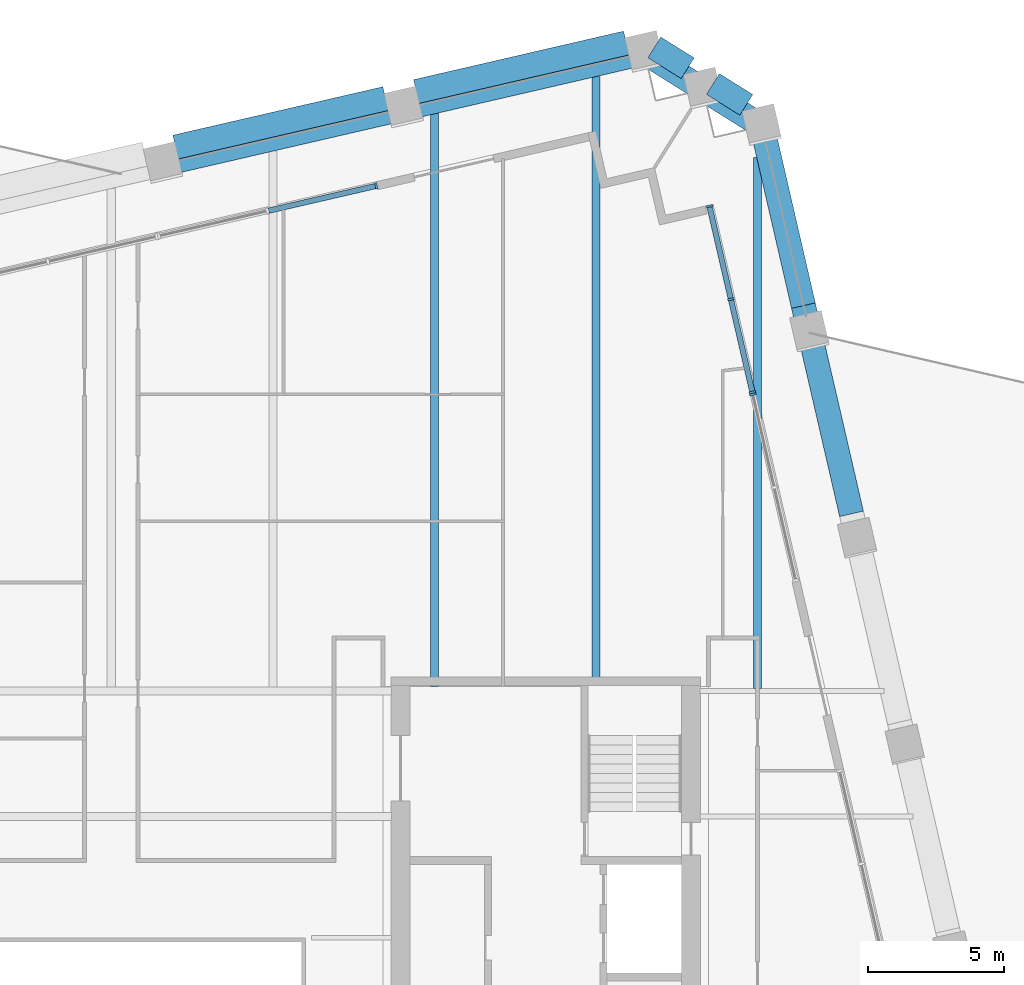
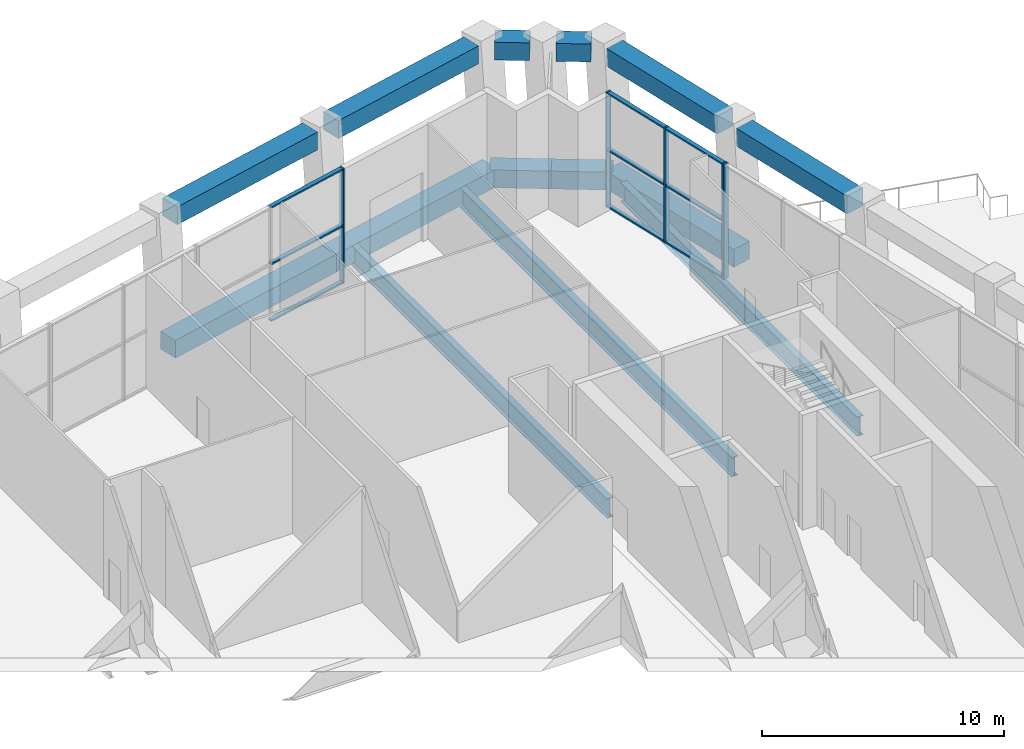
# One storey, part 9 of 24: 14 beams, 14 members, 3 elements without a shape of their own.
"""IFC4 building model written with IfcOpenShell, lengths in metres."""

from ifc_helpers import new_model, si_unit, direction, frame, origin, origin_2d, place, context, subcontext, project, spatial, rectangle, i_section, extrude, material, material_profile, profile_set, type_object, element, aggregate, save


model = new_model("IFC4")

# Units and contexts
model_context = context("Model", 3, precision=1e-05, world=origin(), true_north=direction((0.0, 1.0)))
body_context = subcontext(model_context, "Body", "Model", "MODEL_VIEW")
ifc_project = project(units=[si_unit("LENGTHUNIT", "METRE"), si_unit("AREAUNIT", "SQUARE_METRE"), si_unit("VOLUMEUNIT", "CUBIC_METRE"), si_unit("PLANEANGLEUNIT", "RADIAN"), si_unit("MASSUNIT", "GRAM", prefix="KILO")], contexts=[model_context])

# Site, building, storey
site_placement = place(None, origin())
site = spatial("IfcSite", under=ifc_project, at=site_placement, CompositionType="ELEMENT")
building_placement = place(site_placement, origin())
building = spatial("IfcBuilding", under=site, at=building_placement, Name="Ogive Exchange Tower", CompositionType="ELEMENT")
storey_placement = place(building_placement, frame((0.0, 0.0, 165.60009765625)))
storey = spatial("IfcBuildingStorey", under=building, at=storey_placement, Name="L36", CompositionType="ELEMENT", Elevation=165.60009765625)

# Beams
ifc_material_1 = material(Name="Steel ASTM A992 Gr50", Category="steel")
ifc_material_profile_1 = material_profile(ifc_material_1, i_section(OverallWidth=0.300048828125, OverallDepth=0.969970703125, WebThickness=0.01611328125, FlangeThickness=0.02099609375, at=origin_2d()), Name="W1000x222")
ifc_profile_set_1 = profile_set([ifc_material_profile_1], Name="Steel ASTM A992 Gr50")
beam_type_1 = type_object("IfcBeamType", Name="Floor beam W1000x222", PredefinedType="JOIST", material=ifc_profile_set_1)
beam_1_placement = place(storey_placement, frame((23.806396484375, 25.333984375, -0.93505859375), z_axis=(0.0, 1.0, 0.0), x_axis=(-1.0, 0.0, 0.0)))
element("IfcBeam", 1, at=beam_1_placement, inside=storey, type_object=beam_type_1, Name="Floor beam", PredefinedType="JOIST", context=body_context, shape_type="SweptSolid", body=[
    extrude(i_section(OverallWidth=0.300048828125, OverallDepth=0.969970703125, WebThickness=0.01611328125, FlangeThickness=0.02099609375, at=origin_2d()), origin(), (0.0, 0.0, 1.0), 19.5625),
])
ifc_material_profile_2 = material_profile(ifc_material_1, i_section(OverallWidth=0.300048828125, OverallDepth=0.97998046875, WebThickness=0.0166015625, FlangeThickness=0.026123046875, at=origin_2d()), Name="W1000x249")
ifc_profile_set_2 = profile_set([ifc_material_profile_2], Name="Steel ASTM A992 Gr50")
beam_type_2 = type_object("IfcBeamType", Name="Floor beam W1000x249", PredefinedType="JOIST", material=ifc_profile_set_2)
beam_2_placement = place(storey_placement, frame((11.9033203125, 25.39990234375, -0.940185546875), z_axis=(0.0, 1.0, 0.0), x_axis=(-1.0, 0.0, 0.0)))
element("IfcBeam", 2, at=beam_2_placement, inside=storey, type_object=beam_type_2, Name="Floor beam", PredefinedType="JOIST", context=body_context, shape_type="SweptSolid", body=[
    extrude(i_section(OverallWidth=0.300048828125, OverallDepth=0.97998046875, WebThickness=0.0166015625, FlangeThickness=0.026123046875, at=origin_2d()), origin(), (0.0, 0.0, 1.0), 21.2490234375),
])
beam_3_placement = place(storey_placement, frame((17.854736328125, 25.39990234375, -0.940185546875), z_axis=(0.0, 1.0, 0.0), x_axis=(-1.0, 0.0, 0.0)))
element("IfcBeam", 3, at=beam_3_placement, inside=storey, type_object=beam_type_2, Name="Floor beam", PredefinedType="JOIST", context=body_context, shape_type="SweptSolid", body=[
    extrude(i_section(OverallWidth=0.300048828125, OverallDepth=0.97998046875, WebThickness=0.0166015625, FlangeThickness=0.026123046875, at=origin_2d()), origin(), (0.0, 0.0, 1.0), 22.47314453125),
])
ifc_material_2 = material(Name="Precast concrete C70/85 (limestone faced)", Category="masonry")
ifc_material_profile_3 = material_profile(ifc_material_2, rectangle(XDim=0.89990234375, YDim=0.89990234375, at=origin_2d()), Name="900 x 900")
ifc_profile_set_3 = profile_set([ifc_material_profile_3], Name="Precast concrete C70/85 (limestone faced)")
beam_type_3 = type_object("IfcBeamType", Name="Precast spandrel 900 x 900 C70/85", PredefinedType="SPANDREL", material=ifc_profile_set_3)
beam_4_placement = place(storey_placement, frame((27.2646484375, 31.76708984375, 5.2998046875), z_axis=(-0.224968420637, 0.974366055298, 0.0), x_axis=(-0.974366055298, -0.224968420637, 0.0)))
element("IfcBeam", 4, at=beam_4_placement, inside=storey, type_object=beam_type_3, Name="Spandrel 14", PredefinedType="SPANDREL", context=body_context, shape_type="SweptSolid", body=[
    extrude(rectangle(XDim=0.89990234375, YDim=0.89990234375, at=origin_2d()), origin(), (0.0, 0.0, 1.0), 6.712158203125),
])
beam_5_placement = place(storey_placement, frame((25.493896484375, 39.4375, 5.2998046875), z_axis=(-0.224976393981, 0.974364214322, 0.0), x_axis=(-0.974364214322, -0.224976393981, 0.0)))
element("IfcBeam", 5, at=beam_5_placement, inside=storey, type_object=beam_type_3, Name="Spandrel 15", PredefinedType="SPANDREL", context=body_context, shape_type="SweptSolid", body=[
    extrude(rectangle(XDim=0.89990234375, YDim=0.89990234375, at=origin_2d()), origin(), (0.0, 0.0, 1.0), 6.7119140625),
])
for number, where, z_axis, x_axis, name in (
    (6, (23.38818359375, 46.833251953125, 5.2998046875), (-0.848026711821, 0.529953484787, 0.0), (-0.529953484787, -0.848026711821, 0.0), "Spandrel 16"),
    (7, (21.2294921875, 48.18212890625, 5.2998046875), (-0.848026711821, 0.529953484787, 0.0), (-0.529953484787, -0.848026711821, 0.0), "Spandrel 17"),
):
    element("IfcBeam", number, at=place(storey_placement, frame(where, z_axis=z_axis, x_axis=x_axis)), inside=storey, type_object=beam_type_3, Name=name, PredefinedType="SPANDREL", context=body_context, shape_type="SweptSolid", body=[
        extrude(rectangle(XDim=0.89990234375, YDim=0.89990234375, at=origin_2d()), origin(), (0.0, 0.0, 1.0), 1.448486328125),
    ])
beam_6_placement = place(storey_placement, frame((18.970703125, 49.110107421875, 5.2998046875), z_axis=(-0.974368388194, -0.224958316335, 0.0), x_axis=(0.224958316335, -0.974368388194, 0.0)))
element("IfcBeam", 8, at=beam_6_placement, inside=storey, type_object=beam_type_3, Name="Spandrel 18", PredefinedType="SPANDREL", context=body_context, shape_type="SweptSolid", body=[
    extrude(rectangle(XDim=0.89990234375, YDim=0.89990234375, at=origin_2d()), origin(), (0.0, 0.0, 1.0), 7.93994140625),
])
beam_7_placement = place(storey_placement, frame((10.10400390625, 47.06298828125, 5.2998046875), z_axis=(-0.974369944206, -0.224951576629, 0.0), x_axis=(0.224951576629, -0.974369944206, 0.0)))
element("IfcBeam", 9, at=beam_7_placement, inside=storey, type_object=beam_type_3, Name="Spandrel 19", PredefinedType="SPANDREL", context=body_context, shape_type="SweptSolid", body=[
    extrude(rectangle(XDim=0.89990234375, YDim=0.89990234375, at=origin_2d()), origin(), (0.0, 0.0, 1.0), 7.940185546875),
])
ifc_material_profile_4 = material_profile(ifc_material_2, rectangle(XDim=0.89990234375, YDim=0.89990234375, at=origin_2d()), Name="900 x 900")
ifc_profile_set_4 = profile_set([ifc_material_profile_4], Name="Precast concrete C70/85 (limestone faced)")
beam_type_4 = type_object("IfcBeamType", Name="Precast transfer girder 900 x 900 C70/85", PredefinedType="BEAM", material=ifc_profile_set_4)
beam_8_placement = place(storey_placement, frame((25.721435546875, 38.451171875, -0.900146484375), z_axis=(-0.22495322987, 0.974369562523, 0.0), x_axis=(-0.974369562523, -0.22495322987, 0.0)))
element("IfcBeam", 10, at=beam_8_placement, inside=storey, type_object=beam_type_4, Name="Transfer girder 15", PredefinedType="BEAM", context=body_context, shape_type="SweptSolid", body=[
    extrude(rectangle(XDim=0.89990234375, YDim=0.89990234375, at=origin_2d()), origin(), (0.0, 0.0, 1.0), 7.800048828125),
])
beam_9_placement = place(storey_placement, frame((23.966796875, 46.05126953125, -0.900146484375), z_axis=(-0.848052182659, 0.529912724405, 0.0), x_axis=(-0.529912724405, -0.848052182659, 0.0)))
element("IfcBeam", 11, at=beam_9_placement, inside=storey, type_object=beam_type_4, Name="Transfer girder 16", PredefinedType="BEAM", context=body_context, shape_type="SweptSolid", body=[
    extrude(rectangle(XDim=0.89990234375, YDim=0.89990234375, at=origin_2d()), origin(), (0.0, 0.0, 1.0), 2.54541015625),
])
beam_10_placement = place(storey_placement, frame((21.80810546875, 47.400146484375, -0.900146484375), z_axis=(-0.848009079889, 0.529981698198, 0.0), x_axis=(-0.529981698198, -0.848009079889, 0.0)))
element("IfcBeam", 12, at=beam_10_placement, inside=storey, type_object=beam_type_4, Name="Transfer girder 17", PredefinedType="BEAM", context=body_context, shape_type="SweptSolid", body=[
    extrude(rectangle(XDim=0.89990234375, YDim=0.89990234375, at=origin_2d()), origin(), (0.0, 0.0, 1.0), 2.545654296875),
])
beam_11_placement = place(storey_placement, frame((19.6494140625, 48.749267578125, -0.900146484375), z_axis=(-0.97436948753, -0.224953554694, 0.0), x_axis=(0.224953554694, -0.97436948753, 0.0)))
element("IfcBeam", 13, at=beam_11_placement, inside=storey, type_object=beam_type_4, Name="Transfer girder 18", PredefinedType="BEAM", context=body_context, shape_type="SweptSolid", body=[
    extrude(rectangle(XDim=0.89990234375, YDim=0.89990234375, at=origin_2d()), origin(), (0.0, 0.0, 1.0), 9.10009765625),
])
beam_12_placement = place(storey_placement, frame((10.782470703125, 46.7021484375, -0.900146484375), z_axis=(-0.974368129866, -0.224959435237, 0.0), x_axis=(0.224959435237, -0.974368129866, 0.0)))
element("IfcBeam", 14, at=beam_12_placement, inside=storey, type_object=beam_type_4, Name="Transfer girder 19", PredefinedType="BEAM", context=body_context, shape_type="SweptSolid", body=[
    extrude(rectangle(XDim=0.89990234375, YDim=0.89990234375, at=origin_2d()), origin(), (0.0, 0.0, 1.0), 9.099853515625),
])

# Curtain wall, member
ifc_material_3 = material(Name="Anodised aluminium and clear glass", Category="aluminium")
curtain_wall_type = type_object("IfcCurtainWallType", Name="Winter garden glazing", PredefinedType="NOTDEFINED", material=ifc_material_3)
curtain_wall_1_placement = place(storey_placement, origin())
curtain_wall_1 = element("IfcCurtainWall", 15, at=curtain_wall_1_placement, inside=storey, type_object=curtain_wall_type, Name="Winter garden glazing run G12", PredefinedType="NOTDEFINED")
ifc_material_4 = material(Name="Anodised aluminium", Category="aluminium")
ifc_material_profile_5 = material_profile(ifc_material_4, rectangle(XDim=0.239990234375, YDim=0.080078125, at=origin_2d()), Name="AL 80x240")
ifc_profile_set_5 = profile_set([ifc_material_profile_5], Name="Anodised aluminium")
member_type_1 = type_object("IfcMemberType", Name="Winter garden glazing mullion 80 x 240", PredefinedType="MULLION", material=ifc_profile_set_5)
member_1_placement = place(storey_placement, frame((23.631591796875, 36.168212890625, 0.0), z_axis=(0.0, 0.0, 1.0), x_axis=(-0.974371765874, -0.224943685993, 0.0)))
member_1 = element("IfcMember", 16, at=member_1_placement, type_object=member_type_1, Name="G12 mullion 3", PredefinedType="MULLION", context=body_context, shape_type="SweptSolid", body=[
    extrude(rectangle(XDim=0.239990234375, YDim=0.080078125, at=origin_2d()), origin(), (0.0, 0.0, 1.0), 5.7998046875),
])
aggregate(curtain_wall_1, [member_1])

# Curtain wall, members
curtain_wall_2_placement = place(storey_placement, origin())
curtain_wall_2 = element("IfcCurtainWall", 17, at=curtain_wall_2_placement, inside=storey, type_object=curtain_wall_type, Name="Winter garden glazing run G13", PredefinedType="NOTDEFINED")
member_2_placement = place(storey_placement, frame((23.613525390625, 36.24609375, 0.0), z_axis=(0.0, 0.0, 1.0), x_axis=(-0.974369396254, -0.224953950051, 0.0)))
member_2 = element("IfcMember", 18, at=member_2_placement, type_object=member_type_1, Name="G13 mullion 1", PredefinedType="MULLION", context=body_context, shape_type="SweptSolid", body=[
    extrude(rectangle(XDim=0.239990234375, YDim=0.080078125, at=origin_2d()), origin(), (0.0, 0.0, 1.0), 5.7998046875),
])
member_3_placement = place(storey_placement, frame((22.822265625, 39.673095703125, 0.0), z_axis=(0.0, 0.0, 1.0), x_axis=(-0.974369396254, -0.224953950051, 0.0)))
member_3 = element("IfcMember", 19, at=member_3_placement, type_object=member_type_1, Name="G13 mullion 2", PredefinedType="MULLION", context=body_context, shape_type="SweptSolid", body=[
    extrude(rectangle(XDim=0.239990234375, YDim=0.080078125, at=origin_2d()), origin(), (0.0, 0.0, 1.0), 5.7998046875),
])
member_4_placement = place(storey_placement, frame((22.031005859375, 43.100341796875, 0.0), z_axis=(0.0, 0.0, 1.0), x_axis=(-0.974369396254, -0.224953950051, 0.0)))
member_4 = element("IfcMember", 20, at=member_4_placement, type_object=member_type_1, Name="G13 mullion 3", PredefinedType="MULLION", context=body_context, shape_type="SweptSolid", body=[
    extrude(rectangle(XDim=0.239990234375, YDim=0.080078125, at=origin_2d()), origin(), (0.0, 0.0, 1.0), 5.7998046875),
])

# Curtain wall, member
curtain_wall_3_placement = place(storey_placement, origin())
curtain_wall_3 = element("IfcCurtainWall", 21, at=curtain_wall_3_placement, inside=storey, type_object=curtain_wall_type, Name="Winter garden glazing run G15", PredefinedType="NOTDEFINED")
member_5_placement = place(storey_placement, frame((9.75830078125, 43.8486328125, 0.0), z_axis=(0.0, 0.0, 1.0), x_axis=(0.224951017509, -0.974370073289, 0.0)))
member_5 = element("IfcMember", 22, at=member_5_placement, type_object=member_type_1, Name="G15 mullion 1", PredefinedType="MULLION", context=body_context, shape_type="SweptSolid", body=[
    extrude(rectangle(XDim=0.239990234375, YDim=0.080078125, at=origin_2d()), origin(), (0.0, 0.0, 1.0), 5.7998046875),
])

# Member
ifc_material_profile_6 = material_profile(ifc_material_4, rectangle(XDim=0.199951171875, YDim=0.080078125, at=origin_2d()), Name="AL 80x200")
ifc_profile_set_6 = profile_set([ifc_material_profile_6], Name="Anodised aluminium")
member_type_2 = type_object("IfcMemberType", Name="Winter garden glazing transom 80 x 200", PredefinedType="USERDEFINED", material=ifc_profile_set_6)
member_6_placement = place(storey_placement, frame((23.6044921875, 36.28515625, 0.039794921875), z_axis=(-0.224947693018, 0.974370840802, 0.0), x_axis=(-0.974370840802, -0.224947693018, 0.0)))
member_6 = element("IfcMember", 23, at=member_6_placement, type_object=member_type_2, Name="G13 transom 1.1", ObjectType="TRANSOM", PredefinedType="USERDEFINED", context=body_context, shape_type="SweptSolid", body=[
    extrude(rectangle(XDim=0.199951171875, YDim=0.080078125, at=origin_2d()), origin(), (0.0, 0.0, 1.0), 3.437255859375),
])

member_7_placement = place(storey_placement, frame((23.6044921875, 36.28515625, 2.89990234375), z_axis=(-0.224947693018, 0.974370840802, 0.0), x_axis=(-0.974370840802, -0.224947693018, 0.0)))
member_7 = element("IfcMember", 24, at=member_7_placement, type_object=member_type_2, Name="G13 transom 1.2", ObjectType="TRANSOM", PredefinedType="USERDEFINED", context=body_context, shape_type="SweptSolid", body=[
    extrude(rectangle(XDim=0.199951171875, YDim=0.080078125, at=origin_2d()), origin(), (0.0, 0.0, 1.0), 3.437255859375),
])

member_8_placement = place(storey_placement, frame((23.6044921875, 36.28515625, 5.760009765625), z_axis=(-0.224947693018, 0.974370840802, 0.0), x_axis=(-0.974370840802, -0.224947693018, 0.0)))
member_8 = element("IfcMember", 25, at=member_8_placement, type_object=member_type_2, Name="G13 transom 1.3", ObjectType="TRANSOM", PredefinedType="USERDEFINED", context=body_context, shape_type="SweptSolid", body=[
    extrude(rectangle(XDim=0.199951171875, YDim=0.080078125, at=origin_2d()), origin(), (0.0, 0.0, 1.0), 3.437255859375),
])

member_9_placement = place(storey_placement, frame((22.813232421875, 39.712158203125, 0.039794921875), z_axis=(-0.224947693018, 0.974370840802, 0.0), x_axis=(-0.974370840802, -0.224947693018, 0.0)))
member_9 = element("IfcMember", 26, at=member_9_placement, type_object=member_type_2, Name="G13 transom 2.1", ObjectType="TRANSOM", PredefinedType="USERDEFINED", context=body_context, shape_type="SweptSolid", body=[
    extrude(rectangle(XDim=0.199951171875, YDim=0.080078125, at=origin_2d()), origin(), (0.0, 0.0, 1.0), 3.437255859375),
])

member_10_placement = place(storey_placement, frame((22.813232421875, 39.712158203125, 2.89990234375), z_axis=(-0.224947693018, 0.974370840802, 0.0), x_axis=(-0.974370840802, -0.224947693018, 0.0)))
member_10 = element("IfcMember", 27, at=member_10_placement, type_object=member_type_2, Name="G13 transom 2.2", ObjectType="TRANSOM", PredefinedType="USERDEFINED", context=body_context, shape_type="SweptSolid", body=[
    extrude(rectangle(XDim=0.199951171875, YDim=0.080078125, at=origin_2d()), origin(), (0.0, 0.0, 1.0), 3.437255859375),
])

member_11_placement = place(storey_placement, frame((22.813232421875, 39.712158203125, 5.760009765625), z_axis=(-0.224947693018, 0.974370840802, 0.0), x_axis=(-0.974370840802, -0.224947693018, 0.0)))
member_11 = element("IfcMember", 28, at=member_11_placement, type_object=member_type_2, Name="G13 transom 2.3", ObjectType="TRANSOM", PredefinedType="USERDEFINED", context=body_context, shape_type="SweptSolid", body=[
    extrude(rectangle(XDim=0.199951171875, YDim=0.080078125, at=origin_2d()), origin(), (0.0, 0.0, 1.0), 3.437255859375),
])

aggregate(curtain_wall_2, [member_2, member_3, member_4, member_6, member_7, member_8, member_9, member_10, member_11])

member_12_placement = place(storey_placement, frame((9.71923828125, 43.839599609375, 0.039794921875), z_axis=(-0.97437383551, -0.224934720918, 0.0), x_axis=(0.224934720918, -0.97437383551, 0.0)))
member_12 = element("IfcMember", 29, at=member_12_placement, type_object=member_type_2, Name="G15 transom 1.1", ObjectType="TRANSOM", PredefinedType="USERDEFINED", context=body_context, shape_type="SweptSolid", body=[
    extrude(rectangle(XDim=0.199951171875, YDim=0.080078125, at=origin_2d()), origin(), (0.0, 0.0, 1.0), 4.030029296875),
])

member_13_placement = place(storey_placement, frame((9.71923828125, 43.839599609375, 2.89990234375), z_axis=(-0.97437383551, -0.224934720918, 0.0), x_axis=(0.224934720918, -0.97437383551, 0.0)))
member_13 = element("IfcMember", 30, at=member_13_placement, type_object=member_type_2, Name="G15 transom 1.2", ObjectType="TRANSOM", PredefinedType="USERDEFINED", context=body_context, shape_type="SweptSolid", body=[
    extrude(rectangle(XDim=0.199951171875, YDim=0.080078125, at=origin_2d()), origin(), (0.0, 0.0, 1.0), 4.030029296875),
])

member_14_placement = place(storey_placement, frame((9.71923828125, 43.839599609375, 5.760009765625), z_axis=(-0.97437383551, -0.224934720918, 0.0), x_axis=(0.224934720918, -0.97437383551, 0.0)))
member_14 = element("IfcMember", 31, at=member_14_placement, type_object=member_type_2, Name="G15 transom 1.3", ObjectType="TRANSOM", PredefinedType="USERDEFINED", context=body_context, shape_type="SweptSolid", body=[
    extrude(rectangle(XDim=0.199951171875, YDim=0.080078125, at=origin_2d()), origin(), (0.0, 0.0, 1.0), 4.030029296875),
])

aggregate(curtain_wall_3, [member_5, member_12, member_13, member_14])

save(model, "model.ifc")
